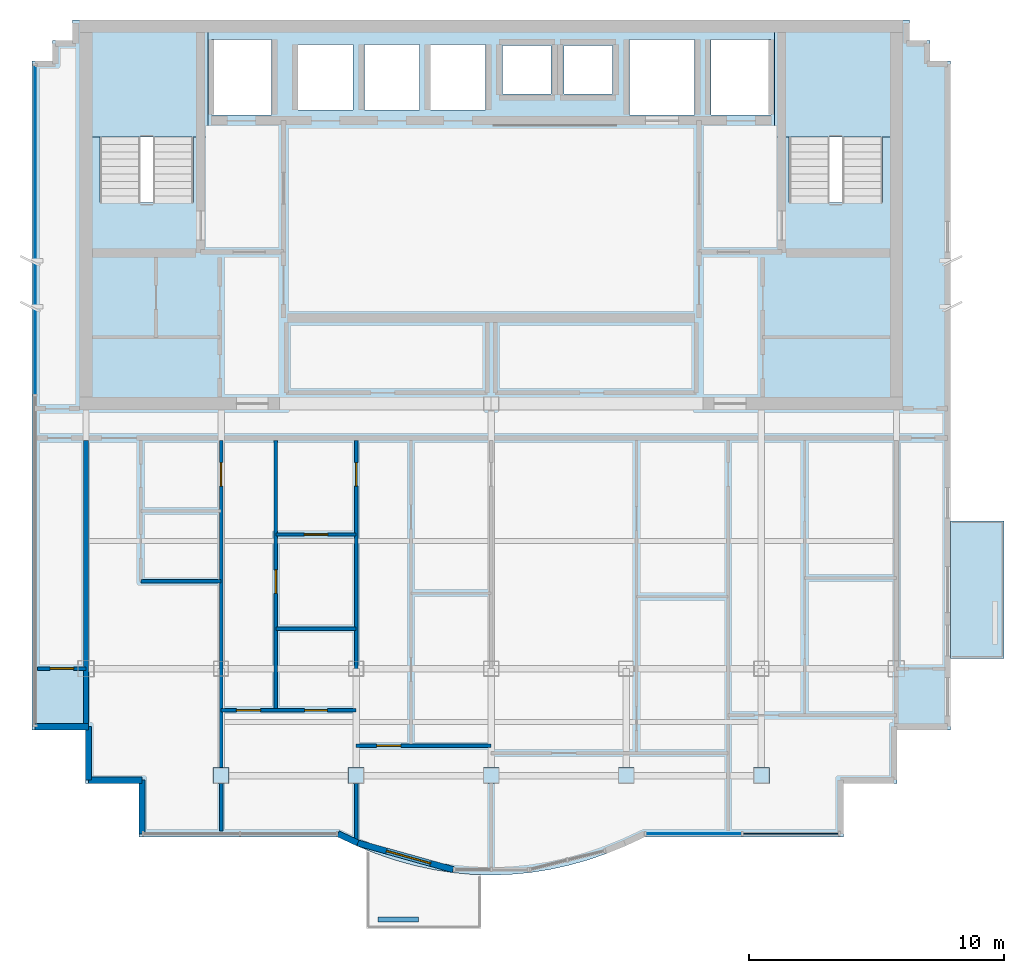
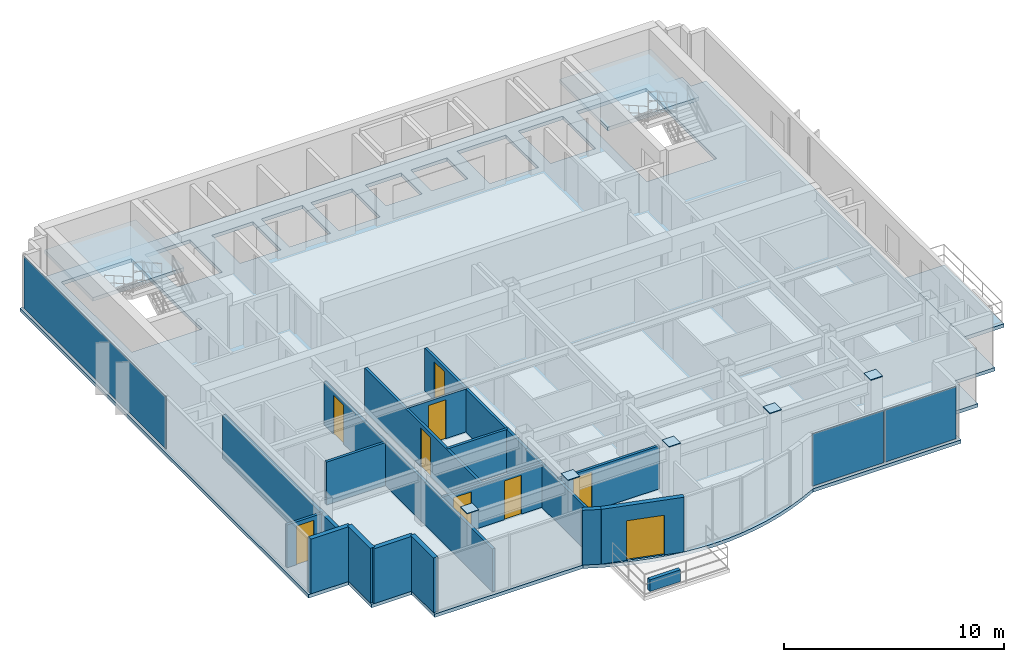
# One storey, part 5 of 11: 17 walls, 9 doors, 8 plates, 4 slabs, 9 openings, 4 elements without a shape of their own.
"""IFC4 building model written with IfcOpenShell, lengths in metres."""

from ifc_helpers import new_model, si_unit, direction, frame, frame_2d, origin, origin_2d, place, context, subcontext, project, spatial, polyline, rectangle, outline, extrude, source, transform, mapped, material, layer, layer_set, type_object, element, fill, aggregate, save


model = new_model("IFC4")

# Units and contexts
model_context = context("Model", 3, precision=1e-05, world=origin(), true_north=direction((0.0, 1.0)))
body_context = subcontext(model_context, "Body", "Model", "MODEL_VIEW")
ifc_project = project(units=[si_unit("LENGTHUNIT", "METRE"), si_unit("AREAUNIT", "SQUARE_METRE"), si_unit("VOLUMEUNIT", "CUBIC_METRE"), si_unit("PLANEANGLEUNIT", "RADIAN"), si_unit("MASSUNIT", "GRAM", prefix="KILO")], contexts=[model_context])

# Site, building, storey
site_placement = place(None, origin())
site = spatial("IfcSite", under=ifc_project, at=site_placement, CompositionType="ELEMENT")
building_placement = place(site_placement, origin())
building = spatial("IfcBuilding", under=site, at=building_placement, Name="Qianlan Lanfeng Residences", CompositionType="ELEMENT")
storey_placement = place(building_placement, frame((0.0, 0.0, 262.699951171875)))
storey = spatial("IfcBuildingStorey", under=building, at=storey_placement, Name="L73", CompositionType="ELEMENT", Elevation=262.699951171875)

# Slabs
ifc_material_1 = material(Name="Concrete C42", Category="concrete")
ifc_layer_1 = layer(ifc_material_1, 0.199951171875)
ifc_layer_set_1 = layer_set([ifc_layer_1], Name="Concrete C42")
slab_type_1 = type_object("IfcSlabType", Name="S-BAL-200", PredefinedType="FLOOR", material=ifc_layer_set_1)
slab_1_placement = place(storey_placement, frame((0.0, 0.0, -0.199951171875)))
element("IfcSlab", 1, at=slab_1_placement, inside=storey, type_object=slab_type_1, Name="L73 Planted Tree Balcony Slab EB-S", PredefinedType="FLOOR", context=body_context, shape_type="SweptSolid", body=[
    extrude(outline(polyline([(44.52001953125, 20.60009765625), (44.52001953125, 15.199951171875), (46.6201171875, 15.199951171875), (46.6201171875, 20.60009765625), (44.52001953125, 20.60009765625)])), origin(), (0.0, 0.0, 1.0), 0.199951171875),
])
ifc_layer_2 = layer(ifc_material_1, 0.18994140625)
ifc_layer_set_2 = layer_set([ifc_layer_2], Name="Concrete C42")
slab_type_2 = type_object("IfcSlabType", Name="S-FL-190", PredefinedType="FLOOR", material=ifc_layer_set_2)
slab_2_placement = place(storey_placement, frame((0.0, 0.0, -0.18994140625)))
element("IfcSlab", 2, at=slab_2_placement, inside=storey, type_object=slab_type_2, Name="L73 Structural Floor Slab", PredefinedType="FLOOR", context=body_context, shape_type="SweptSolid", body=[
    extrude(outline(polyline([(8.47998046875, 12.39990234375), (10.580078125, 12.39990234375), (10.580078125, 10.300048828125), (12.679931640625, 10.300048828125), (12.679931640625, 8.199951171875), (20.4599609375, 8.199951171875), (21.215087890625, 7.847900390625), (21.969970703125, 7.5439453125), (22.72509765625, 7.285888671875), (23.47998046875, 7.074951171875), (24.235107421875, 6.910888671875), (24.989990234375, 6.7939453125), (25.7451171875, 6.722900390625), (26.5, 6.699951171875), (27.2548828125, 6.722900390625), (28.010009765625, 6.7939453125), (28.764892578125, 6.910888671875), (29.52001953125, 7.074951171875), (30.27490234375, 7.285888671875), (31.030029296875, 7.5439453125), (31.784912109375, 7.847900390625), (32.5400390625, 8.199951171875), (40.320068359375, 8.199951171875), (40.320068359375, 10.300048828125), (42.419921875, 10.300048828125), (42.419921875, 12.39990234375), (44.52001953125, 12.39990234375), (44.52001953125, 38.64990234375), (43.719970703125, 38.64990234375), (43.719970703125, 39.449951171875), (42.919921875, 39.449951171875), (42.919921875, 40.25), (10.080078125, 40.25), (10.080078125, 39.449951171875), (9.280029296875, 39.449951171875), (9.280029296875, 38.64990234375), (8.47998046875, 38.64990234375), (8.47998046875, 12.39990234375)]), holes=[polyline([(11.139892578125, 33.080078125), (11.139892578125, 39.5), (14.820068359375, 39.5), (14.820068359375, 33.080078125), (11.139892578125, 33.080078125)]), polyline([(38.179931640625, 33.080078125), (38.179931640625, 39.5), (41.860107421875, 39.5), (41.860107421875, 33.080078125), (38.179931640625, 33.080078125)]), polyline([(15.52001953125, 36.52001953125), (15.52001953125, 39.47998046875), (17.8798828125, 39.47998046875), (17.8798828125, 36.52001953125), (15.52001953125, 36.52001953125)]), polyline([(35.1201171875, 36.52001953125), (35.1201171875, 39.47998046875), (37.47998046875, 39.47998046875), (37.47998046875, 36.52001953125), (35.1201171875, 36.52001953125)]), polyline([(31.919921875, 36.52001953125), (31.919921875, 39.47998046875), (34.47998046875, 39.47998046875), (34.47998046875, 36.52001953125), (31.919921875, 36.52001953125)]), polyline([(18.919921875, 36.719970703125), (18.919921875, 39.280029296875), (21.080078125, 39.280029296875), (21.080078125, 36.719970703125), (18.919921875, 36.719970703125)]), polyline([(21.52001953125, 36.719970703125), (21.52001953125, 39.280029296875), (23.679931640625, 39.280029296875), (23.679931640625, 36.719970703125), (21.52001953125, 36.719970703125)]), polyline([(24.1201171875, 36.719970703125), (24.1201171875, 39.280029296875), (26.280029296875, 39.280029296875), (26.280029296875, 36.719970703125), (24.1201171875, 36.719970703125)]), polyline([(26.949951171875, 37.35009765625), (26.949951171875, 39.25), (28.85009765625, 39.25), (28.85009765625, 37.35009765625), (26.949951171875, 37.35009765625)]), polyline([(29.35009765625, 37.35009765625), (29.35009765625, 39.25), (31.25, 39.25), (31.25, 37.35009765625), (29.35009765625, 37.35009765625)])]), origin(), (0.0, 0.0, 1.0), 0.18994140625),
])

# Stair, slab
stair_type = type_object("IfcStairType", Name="STR-MAIN", PredefinedType="HALF_TURN_STAIR", material=ifc_material_1)
stair_1_placement = place(storey_placement, origin())
stair_1 = element("IfcStair", 3, at=stair_1_placement, inside=storey, type_object=stair_type, Name="L73 Exit Stair ST-1", PredefinedType="HALF_TURN_STAIR")
ifc_layer_3 = layer(ifc_material_1, 0.179931640625)
ifc_layer_set_3 = layer_set([ifc_layer_3], Name="Concrete C42")
slab_type_3 = type_object("IfcSlabType", Name="S-LND-180", PredefinedType="LANDING", material=ifc_layer_set_3)
slab_3_placement = place(storey_placement, frame((0.0, 0.0, 1.449951171875)))
slab_3 = element("IfcSlab", 4, at=slab_3_placement, type_object=slab_type_3, Name="ST-1 landing 1", PredefinedType="LANDING", context=body_context, shape_type="SweptSolid", body=[
    extrude(outline(polyline([(10.580078125, 35.659912109375), (15.3798828125, 35.659912109375), (15.3798828125, 40.050048828125), (10.580078125, 40.050048828125), (10.580078125, 35.659912109375)])), origin(), (0.0, 0.0, 1.0), 0.2001953125),
])
aggregate(stair_1, [slab_3])

stair_2_placement = place(storey_placement, origin())
stair_2 = element("IfcStair", 5, at=stair_2_placement, inside=storey, type_object=stair_type, Name="L73 Exit Stair ST-2", PredefinedType="HALF_TURN_STAIR")
slab_4_placement = place(storey_placement, frame((0.0, 0.0, 1.449951171875)))
slab_4 = element("IfcSlab", 6, at=slab_4_placement, type_object=slab_type_3, Name="ST-2 landing 1", PredefinedType="LANDING", context=body_context, shape_type="SweptSolid", body=[
    extrude(outline(polyline([(37.6201171875, 35.659912109375), (42.419921875, 35.659912109375), (42.419921875, 40.050048828125), (37.6201171875, 40.050048828125), (37.6201171875, 35.659912109375)])), origin(), (0.0, 0.0, 1.0), 0.2001953125),
])
aggregate(stair_2, [slab_4])

# Plates
ifc_material_2 = material(Name="Steel SM570 (420 MPa)", Category="steel")
ifc_layer_4 = layer(ifc_material_2, 0.0400390625)
ifc_layer_set_4 = layer_set([ifc_layer_4], Name="Steel SM570 (420 MPa)")
plate_type_1 = type_object("IfcPlateType", Name="PL-CAP-40", PredefinedType="USERDEFINED", material=ifc_layer_set_4)
shared_shape_1 = source(origin(), body_context, "Body", "SweptSolid", [
    extrude(rectangle(XDim=0.6201171875, YDim=0.6201171875, at=origin_2d()), origin(), (0.0, 0.0, 1.0), 0.0400390625),
])
for number, where, z_axis, x_axis, name in (
    (7, (15.89990234375, 10.60009765625, 3.260009765625), (0.0, 0.0, 1.0), (1.0, 0.0, 0.0), "L73 Box Column Top Closure Cap Plate G_15.90_10.60"),
    (8, (21.199951171875, 10.60009765625, 3.260009765625), (0.0, 0.0, 1.0), (1.0, 0.0, 0.0), "L73 Box Column Top Closure Cap Plate G_21.20_10.60"),
    (9, (26.5, 10.60009765625, 3.260009765625), (0.0, 0.0, 1.0), (1.0, 0.0, 0.0), "L73 Box Column Top Closure Cap Plate G_26.50_10.60"),
    (10, (31.800048828125, 10.60009765625, 3.260009765625), (0.0, 0.0, 1.0), (1.0, 0.0, 0.0), "L73 Box Column Top Closure Cap Plate G_31.80_10.60"),
    (11, (37.10009765625, 10.60009765625, 3.260009765625), (0.0, 0.0, 1.0), (1.0, 0.0, 0.0), "L73 Box Column Top Closure Cap Plate G_37.10_10.60"),
):
    element("IfcPlate", number, at=place(storey_placement, frame(where, z_axis=z_axis, x_axis=x_axis)), inside=storey, type_object=plate_type_1, Name=name, ObjectType="SPLICE_PLATE", PredefinedType="USERDEFINED", context=body_context, shape_type="MappedRepresentation", body=[
        mapped(shared_shape_1, transform((0.0, 0.0, 0.0), scale=1.0)),
    ])

# Curtain wall, plates
ifc_material_3 = material(Name="Anodised Bronze Aluminium 6063-T6", Category="aluminium")
ifc_layer_5 = layer(ifc_material_3, 0.219970703125)
ifc_layer_set_5 = layer_set([ifc_layer_5], Name="Anodised Bronze Aluminium 6063-T6")
curtain_wall_type = type_object("IfcCurtainWallType", Name="CW-06", PredefinedType="NOTDEFINED", material=ifc_layer_set_5)
curtain_wall_1_placement = place(storey_placement, origin())
curtain_wall_1 = element("IfcCurtainWall", 12, at=curtain_wall_1_placement, inside=storey, type_object=curtain_wall_type, Name="L73 Unitised Curtain Wall CWR-L73-04 (CW-06)", PredefinedType="NOTDEFINED")
ifc_material_4 = material(Name="Dark Bronze Tinted Insulated Glass", Category="glass")
ifc_layer_6 = layer(ifc_material_4, 0.0380859375)
ifc_layer_set_6 = layer_set([ifc_layer_6], Name="Dark Bronze Tinted Insulated Glass")
plate_type_2 = type_object("IfcPlateType", Name="PNL-GLZ-BRZ", PredefinedType="CURTAIN_PANEL", material=ifc_layer_set_6)
shared_shape_2 = source(origin(), body_context, "Body", "SweptSolid", [
    extrude(rectangle(XDim=3.73291015625, YDim=0.0380859375, at=origin_2d()), origin(), (0.0, 0.0, 1.0), 2.89208984375),
])
plate_1_placement = place(storey_placement, frame((34.45361328125, 8.320068359375, 0.073974609375), z_axis=(0.0, 0.0, 1.0), x_axis=(1.0, 0.0, 0.0)))
plate_1 = element("IfcPlate", 13, at=plate_1_placement, type_object=plate_type_2, Name="CWR-L73-04 Curtain Panel 1", PredefinedType="CURTAIN_PANEL", context=body_context, shape_type="MappedRepresentation", body=[
    mapped(shared_shape_2, transform((0.0, 0.0, 0.0), scale=1.0)),
])
ifc_material_5 = material(Name="Perforated Anodised Bronze Aluminium Panel", Category="aluminium")
ifc_layer_7 = layer(ifc_material_5, 0.0419921875)
ifc_layer_set_7 = layer_set([ifc_layer_7], Name="Perforated Anodised Bronze Aluminium Panel")
plate_type_3 = type_object("IfcPlateType", Name="PNL-PRF-BRZ", PredefinedType="CURTAIN_PANEL", material=ifc_layer_set_7)
shared_shape_3 = source(origin(), body_context, "Body", "SweptSolid", [
    extrude(rectangle(XDim=3.73291015625, YDim=0.0419921875, at=origin_2d()), origin(), (0.0, 0.0, 1.0), 2.89208984375),
])
plate_2_placement = place(storey_placement, frame((38.259521484375, 8.320068359375, 0.073974609375), z_axis=(0.0, 0.0, 1.0), x_axis=(1.0, 0.0, 0.0)))
plate_2 = element("IfcPlate", 14, at=plate_2_placement, type_object=plate_type_3, Name="CWR-L73-04 Curtain Panel 2", PredefinedType="CURTAIN_PANEL", context=body_context, shape_type="MappedRepresentation", body=[
    mapped(shared_shape_3, transform((0.0, 0.0, 0.0), scale=1.0)),
])
aggregate(curtain_wall_1, [plate_1, plate_2])

# Curtain wall, plate
curtain_wall_2_placement = place(storey_placement, origin())
curtain_wall_2 = element("IfcCurtainWall", 15, at=curtain_wall_2_placement, inside=storey, type_object=curtain_wall_type, Name="L73 Unitised Curtain Wall CWR-L73-05 (CW-06)", PredefinedType="NOTDEFINED")
shared_shape_4 = source(origin(), body_context, "Body", "SweptSolid", [
    extrude(rectangle(XDim=12.89453125, YDim=0.0380859375, at=origin_2d()), origin(), (0.0, 0.0, 1.0), 2.89208984375),
])
plate_3_placement = place(storey_placement, frame((8.60009765625, 32.0087890625, 0.073974609375), z_axis=(0.0, 0.0, 1.0), x_axis=(0.0, -1.0, 0.0)))
plate_3 = element("IfcPlate", 16, at=plate_3_placement, type_object=plate_type_2, Name="CWR-L73-05 Curtain Panel 1", PredefinedType="CURTAIN_PANEL", context=body_context, shape_type="MappedRepresentation", body=[
    mapped(shared_shape_4, transform((0.0, 0.0, 0.0), scale=1.0)),
])
aggregate(curtain_wall_2, [plate_3])

# Walls
ifc_layer_8 = layer(ifc_material_1, 0.239990234375)
ifc_layer_set_8 = layer_set([ifc_layer_8], Name="Concrete C42")
wall_type_1 = type_object("IfcWallType", Name="EW-240", PredefinedType="SOLIDWALL", material=ifc_layer_set_8)
wall_1_placement = place(storey_placement, frame((8.60009765625, 12.52001953125, 0.0), z_axis=(0.0, 0.0, 1.0), x_axis=(1.0, 0.0, 0.0)))
element("IfcWall", 17, at=wall_1_placement, inside=storey, type_object=wall_type_1, Name="L73 Exterior Facade Spandrel Wall 1", PredefinedType="SOLIDWALL", context=body_context, shape_type="SweptSolid", body=[
    extrude(rectangle(XDim=2.099853515625, YDim=0.239990234375, at=frame_2d((1.0498046875, 0.0))), origin(), (0.0, 0.0, 1.0), 3.0400390625),
])
for number, where, z_axis, x_axis, name in (
    (18, (10.699951171875, 12.52001953125, 0.0), (0.0, 0.0, 1.0), (0.0, -1.0, 0.0), "L73 Exterior Facade Spandrel Wall 2"),
    (19, (10.699951171875, 10.419921875, 0.0), (0.0, 0.0, 1.0), (1.0, 0.0, 0.0), "L73 Exterior Facade Spandrel Wall 3"),
):
    element("IfcWall", number, at=place(storey_placement, frame(where, z_axis=z_axis, x_axis=x_axis)), inside=storey, type_object=wall_type_1, Name=name, PredefinedType="SOLIDWALL", context=body_context, shape_type="SweptSolid", body=[
        extrude(rectangle(XDim=2.10009765625, YDim=0.239990234375, at=frame_2d((1.050048828125, 0.0))), origin(), (0.0, 0.0, 1.0), 3.0400390625),
    ])
wall_2_placement = place(storey_placement, frame((12.800048828125, 10.419921875, 0.0), z_axis=(0.0, 0.0, 1.0), x_axis=(0.0, -1.0, 0.0)))
element("IfcWall", 20, at=wall_2_placement, inside=storey, type_object=wall_type_1, Name="L73 Exterior Facade Spandrel Wall 4", PredefinedType="SOLIDWALL", context=body_context, shape_type="SweptSolid", body=[
    extrude(rectangle(XDim=2.099853515625, YDim=0.239990234375, at=frame_2d((1.0498046875, 0.0))), origin(), (0.0, 0.0, 1.0), 3.0400390625),
])
wall_3_placement = place(storey_placement, frame((20.487060546875, 8.320068359375, 0.0), z_axis=(0.0, 0.0, 1.0), x_axis=(0.906190424584, -0.422869855147, 0.0)))
element("IfcWall", 21, at=wall_3_placement, inside=storey, type_object=wall_type_1, Name="L73 Exterior Facade Spandrel Wall 5", PredefinedType="SOLIDWALL", context=body_context, shape_type="SweptSolid", body=[
    extrude(rectangle(XDim=0.856201171875, YDim=0.239990234375, at=frame_2d((0.42822265625, 0.0))), origin(), (0.0, 0.0, 1.0), 3.0400390625),
])

# Wall, opening, door
wall_4_placement = place(storey_placement, frame((21.262939453125, 7.9580078125, 0.0), z_axis=(0.0, 0.0, 1.0), x_axis=(0.963152398068, -0.268956238255, 0.0)))
wall_4 = element("IfcWall", 22, at=wall_4_placement, inside=storey, type_object=wall_type_1, Name="L73 Terrace/Balcony Access Exterior Wall 6", PredefinedType="SOLIDWALL", context=body_context, shape_type="SweptSolid", body=[
    extrude(rectangle(XDim=3.885009765625, YDim=0.239990234375, at=frame_2d((1.9423828125, 0.0))), origin(), (0.0, 0.0, 1.0), 3.0400390625),
])
opening_1_placement = place(wall_4_placement, frame((1.1689453125, 0.0, 0.0)))
opening_1 = element("IfcOpeningElement", 23, at=opening_1_placement, cuts=wall_4, Name="Opening L73-D-SB-C", PredefinedType="OPENING", context=body_context, shape_type="SweptSolid", body=[
    extrude(rectangle(XDim=1.800048828125, YDim=2.199951171875, at=frame_2d((0.89990234375, 1.10009765625))), frame((0.0, 0.1298828125, 0.0), z_axis=(0.0, -1.0, 0.0), x_axis=(1.0, 0.0, 0.0)), (0.0, 0.0, 1.0), 0.260009765625),
])
ifc_material_6 = material(Name="Anodised Bronze Aluminium Framed Glass", Category="aluminium")
door_type_1 = type_object("IfcDoorType", Name="DT-BAL1", OperationType="NOTDEFINED", PredefinedType="DOOR", material=ifc_material_6)
door_1_placement = place(opening_1_placement, frame((1.800048828125, 0.0, 0.0), z_axis=(0.0, 0.0, 1.0), x_axis=(-1.0, 0.0, 0.0)))
door_1 = element("IfcDoor", 24, at=door_1_placement, inside=storey, type_object=door_type_1, Name="L73 Exterior Access Door SB-C", OperationType="DOUBLE_DOOR_SLIDING", OverallHeight=2.199951171875, OverallWidth=1.800048828125, PredefinedType="DOOR", context=body_context, shape_type="SweptSolid", body=[
    extrude(rectangle(XDim=1.800048828125, YDim=2.199951171875, at=frame_2d((0.89990234375, 1.10009765625))), frame((0.0, 0.02490234375, 0.0), z_axis=(0.0, -1.0, 0.0), x_axis=(1.0, 0.0, 0.0)), (0.0, 0.0, 1.0), 0.050048828125),
])
fill(opening_1, door_1)

# Wall
ifc_layer_9 = layer(ifc_material_1, 0.199951171875)
ifc_layer_set_9 = layer_set([ifc_layer_9], Name="Concrete C42")
wall_type_2 = type_object("IfcWallType", Name="PL-TREE-200", PredefinedType="PARAPET", material=ifc_layer_set_9)
wall_5_placement = place(storey_placement, frame((22.050048828125, 4.949951171875, 0.0), z_axis=(0.0, 0.0, 1.0), x_axis=(1.0, 0.0, 0.0)))
element("IfcWall", 25, at=wall_5_placement, inside=storey, type_object=wall_type_2, Name="L73 Balcony Tree Planter Curb SB-C", PredefinedType="PARAPET", context=body_context, shape_type="SweptSolid", body=[
    extrude(rectangle(XDim=1.599853515625, YDim=0.199951171875, at=frame_2d((0.7998046875, 0.0))), origin(), (0.0, 0.0, 1.0), 0.650146484375),
])

# Wall, opening, door
ifc_material_7 = material(Name="Demountable Acoustic Framing Partition 110 mm")
ifc_layer_10 = layer(ifc_material_7, 0.110107421875)
ifc_layer_set_10 = layer_set([ifc_layer_10], Name="Demountable Acoustic Framing Partition 110 mm")
wall_type_3 = type_object("IfcWallType", Name="PW-110", PredefinedType="MOVABLE", material=ifc_layer_set_10)
wall_6_placement = place(storey_placement, frame((18.050048828125, 20.06005859375, 0.0), z_axis=(0.0, 0.0, 1.0), x_axis=(1.0, 0.0, 0.0)))
wall_6 = element("IfcWall", 26, at=wall_6_placement, inside=storey, type_object=wall_type_3, Name="L73 U01 Wardrobe Split", PredefinedType="MOVABLE", context=body_context, shape_type="SweptSolid", body=[
    extrude(rectangle(XDim=3.14990234375, YDim=0.110107421875, at=frame_2d((1.574951171875, 0.0))), origin(), (0.0, 0.0, 1.0), 2.380126953125),
])
opening_2_placement = place(wall_6_placement, frame((1.114990234375, 0.0, 0.0)))
opening_2 = element("IfcOpeningElement", 27, at=opening_2_placement, cuts=wall_6, Name="Opening L73-D28", PredefinedType="OPENING", context=body_context, shape_type="SweptSolid", body=[
    extrude(rectangle(XDim=0.919921875, YDim=2.14990234375, at=frame_2d((0.4599609375, 1.074951171875))), frame((0.0, 0.06494140625, 0.0), z_axis=(0.0, -1.0, 0.0), x_axis=(1.0, 0.0, 0.0)), (0.0, 0.0, 1.0), 0.130126953125),
])
ifc_material_8 = material(Name="Glazed Timber Kitchen/Study Door", Category="wood")
door_type_2 = type_object("IfcDoorType", Name="DT-INT", OperationType="NOTDEFINED", PredefinedType="DOOR", material=ifc_material_8)
door_2_placement = place(opening_2_placement, origin())
door_2 = element("IfcDoor", 28, at=door_2_placement, inside=storey, type_object=door_type_2, Name="L73 U01 Dressing Inner Door L73-D28 (DT-INT)", OperationType="SINGLE_SWING_RIGHT", OverallHeight=2.14990234375, OverallWidth=0.919921875, PredefinedType="DOOR", context=body_context, shape_type="SweptSolid", body=[
    extrude(rectangle(XDim=0.919921875, YDim=2.14990234375, at=frame_2d((0.4599609375, 1.074951171875))), frame((0.0, 0.02490234375, 0.0), z_axis=(0.0, -1.0, 0.0), x_axis=(1.0, 0.0, 0.0)), (0.0, 0.0, 1.0), 0.050048828125),
])
fill(opening_2, door_2)

ifc_material_9 = material(Name="Moisture-Resistant Gypsum Partition 135 mm")
ifc_layer_11 = layer(ifc_material_9, 0.135009765625)
ifc_layer_set_11 = layer_set([ifc_layer_11], Name="Moisture-Resistant Gypsum Partition 135 mm")
wall_type_4 = type_object("IfcWallType", Name="PW-135", PredefinedType="PARTITIONING", material=ifc_layer_set_11)
wall_7_placement = place(storey_placement, frame((15.89990234375, 8.419921875, 0.0), z_axis=(0.0, 0.0, 1.0), x_axis=(0.0, 1.0, 0.0)))
wall_7 = element("IfcWall", 29, at=wall_7_placement, inside=storey, type_object=wall_type_4, Name="L73 U01 Bay Spine Wall 1", PredefinedType="PARTITIONING", context=body_context, shape_type="SweptSolid", body=[
    extrude(rectangle(XDim=15.330078125, YDim=0.135009765625, at=frame_2d((7.6650390625, 0.0))), origin(), (0.0, 0.0, 1.0), 2.380126953125),
])
opening_3_placement = place(wall_7_placement, frame((13.544921875, 0.0, 0.0)))
opening_3 = element("IfcOpeningElement", 30, at=opening_3_placement, cuts=wall_7, Name="Opening L73-D19", PredefinedType="OPENING", context=body_context, shape_type="SweptSolid", body=[
    extrude(rectangle(XDim=0.919921875, YDim=2.14990234375, at=frame_2d((0.4599609375, 1.074951171875))), frame((0.0, 0.07763671875, 0.0), z_axis=(0.0, -1.0, 0.0), x_axis=(1.0, 0.0, 0.0)), (0.0, 0.0, 1.0), 0.155029296875),
])
door_3_placement = place(opening_3_placement, origin())
door_3 = element("IfcDoor", 31, at=door_3_placement, inside=storey, type_object=door_type_2, Name="L73 U01 Internal Hall Door L73-D19 (DT-INT)", OperationType="SINGLE_SWING_LEFT", OverallHeight=2.14990234375, OverallWidth=0.919921875, PredefinedType="DOOR", context=body_context, shape_type="SweptSolid", body=[
    extrude(rectangle(XDim=0.919921875, YDim=2.14990234375, at=frame_2d((0.4599609375, 1.074951171875))), frame((0.0, 0.02490234375, 0.0), z_axis=(0.0, -1.0, 0.0), x_axis=(1.0, 0.0, 0.0)), (0.0, 0.0, 1.0), 0.050048828125),
])
fill(opening_3, door_3)

wall_8_placement = place(storey_placement, frame((21.199951171875, 8.097900390625, 0.0), z_axis=(0.0, 0.0, 1.0), x_axis=(0.0, 1.0, 0.0)))
wall_8 = element("IfcWall", 32, at=wall_8_placement, inside=storey, type_object=wall_type_4, Name="L73 U01 Bay Spine Wall 2", PredefinedType="PARTITIONING", context=body_context, shape_type="SweptSolid", body=[
    extrude(rectangle(XDim=15.652099609375, YDim=0.135009765625, at=frame_2d((7.826171875, 0.0))), origin(), (0.0, 0.0, 1.0), 2.380126953125),
])
opening_4_placement = place(wall_8_placement, frame((13.866943359375, 0.0, 0.0)))
opening_4 = element("IfcOpeningElement", 33, at=opening_4_placement, cuts=wall_8, Name="Opening L73-D20", PredefinedType="OPENING", context=body_context, shape_type="SweptSolid", body=[
    extrude(rectangle(XDim=0.919921875, YDim=2.14990234375, at=frame_2d((0.4599609375, 1.074951171875))), frame((0.0, 0.07763671875, 0.0), z_axis=(0.0, -1.0, 0.0), x_axis=(1.0, 0.0, 0.0)), (0.0, 0.0, 1.0), 0.155029296875),
])
door_4_placement = place(opening_4_placement, origin())
door_4 = element("IfcDoor", 34, at=door_4_placement, inside=storey, type_object=door_type_2, Name="L73 U01 Internal Hall Door L73-D20 (DT-INT)", OperationType="SINGLE_SWING_RIGHT", OverallHeight=2.14990234375, OverallWidth=0.919921875, PredefinedType="DOOR", context=body_context, shape_type="SweptSolid", body=[
    extrude(rectangle(XDim=0.919921875, YDim=2.14990234375, at=frame_2d((0.4599609375, 1.074951171875))), frame((0.0, 0.02490234375, 0.0), z_axis=(0.0, -1.0, 0.0), x_axis=(1.0, 0.0, 0.0)), (0.0, 0.0, 1.0), 0.050048828125),
])
fill(opening_4, door_4)

# Wall
wall_9_placement = place(storey_placement, frame((12.75, 18.219970703125, 0.0), z_axis=(0.0, 0.0, 1.0), x_axis=(1.0, 0.0, 0.0)))
element("IfcWall", 35, at=wall_9_placement, inside=storey, type_object=wall_type_4, Name="L73 U01 Kitchen South Wall", PredefinedType="PARTITIONING", context=body_context, shape_type="SweptSolid", body=[
    extrude(rectangle(XDim=3.14990234375, YDim=0.135009765625, at=frame_2d((1.574951171875, 0.0))), origin(), (0.0, 0.0, 1.0), 2.380126953125),
])

# Wall, openings, doors
wall_10_placement = place(storey_placement, frame((15.89990234375, 13.169921875, 0.0), z_axis=(0.0, 0.0, 1.0), x_axis=(1.0, 0.0, 0.0)))
wall_10 = element("IfcWall", 36, at=wall_10_placement, inside=storey, type_object=wall_type_4, Name="L73 U01 Master Bedroom North Wall", PredefinedType="PARTITIONING", context=body_context, shape_type="SweptSolid", body=[
    extrude(rectangle(XDim=5.300048828125, YDim=0.135009765625, at=frame_2d((2.64990234375, 0.0))), origin(), (0.0, 0.0, 1.0), 2.380126953125),
])
opening_5_placement = place(wall_10_placement, frame((0.60009765625, 0.0, 0.0)))
opening_5 = element("IfcOpeningElement", 37, at=opening_5_placement, cuts=wall_10, Name="Opening L73-D25", PredefinedType="OPENING", context=body_context, shape_type="SweptSolid", body=[
    extrude(rectangle(XDim=0.949951171875, YDim=2.14990234375, at=frame_2d((0.47509765625, 1.074951171875))), frame((0.0, 0.07763671875, 0.0), z_axis=(0.0, -1.0, 0.0), x_axis=(1.0, 0.0, 0.0)), (0.0, 0.0, 1.0), 0.155029296875),
])
opening_6_placement = place(wall_10_placement, frame((3.27490234375, 0.0, 0.0)))
opening_6 = element("IfcOpeningElement", 38, at=opening_6_placement, cuts=wall_10, Name="Opening L73-D26", PredefinedType="OPENING", context=body_context, shape_type="SweptSolid", body=[
    extrude(rectangle(XDim=0.89990234375, YDim=2.14990234375, at=frame_2d((0.449951171875, 1.074951171875))), frame((0.0, 0.07763671875, 0.0), z_axis=(0.0, -1.0, 0.0), x_axis=(1.0, 0.0, 0.0)), (0.0, 0.0, 1.0), 0.155029296875),
])
ifc_material_10 = material(Name="Painted Solid-Core Timber Leaf", Category="wood")
door_type_3 = type_object("IfcDoorType", Name="DT-BED", OperationType="NOTDEFINED", PredefinedType="DOOR", material=ifc_material_10)
door_5_placement = place(opening_5_placement, frame((0.949951171875, 0.0, 0.0), z_axis=(0.0, 0.0, 1.0), x_axis=(-1.0, 0.0, 0.0)))
door_5 = element("IfcDoor", 39, at=door_5_placement, inside=storey, type_object=door_type_3, Name="L73 U01 Master Bedroom Door L73-D25 (DT-BED)", OperationType="SINGLE_SWING_RIGHT", OverallHeight=2.14990234375, OverallWidth=0.949951171875, PredefinedType="DOOR", context=body_context, shape_type="SweptSolid", body=[
    extrude(rectangle(XDim=0.949951171875, YDim=2.14990234375, at=frame_2d((0.47509765625, 1.074951171875))), frame((0.0, 0.02490234375, 0.0), z_axis=(0.0, -1.0, 0.0), x_axis=(1.0, 0.0, 0.0)), (0.0, 0.0, 1.0), 0.050048828125),
])
fill(opening_5, door_5)
ifc_material_11 = material(Name="Moisture-Resistant Timber Leaf", Category="wood")
door_type_4 = type_object("IfcDoorType", Name="DT-WC", OperationType="NOTDEFINED", PredefinedType="DOOR", material=ifc_material_11)
door_6_placement = place(opening_6_placement, origin())
door_6 = element("IfcDoor", 40, at=door_6_placement, inside=storey, type_object=door_type_4, Name="L73 U01 En-Suite Bathroom Door L73-D26 (DT-WC)", OperationType="SINGLE_SWING_RIGHT", OverallHeight=2.14990234375, OverallWidth=0.89990234375, PredefinedType="DOOR", context=body_context, shape_type="SweptSolid", body=[
    extrude(rectangle(XDim=0.89990234375, YDim=2.14990234375, at=frame_2d((0.449951171875, 1.074951171875))), frame((0.0, 0.02490234375, 0.0), z_axis=(0.0, -1.0, 0.0), x_axis=(1.0, 0.0, 0.0)), (0.0, 0.0, 1.0), 0.050048828125),
])
fill(opening_6, door_6)

# Wall, opening, door
wall_11_placement = place(storey_placement, frame((18.050048828125, 13.169921875, 0.0), z_axis=(0.0, 0.0, 1.0), x_axis=(0.0, 1.0, 0.0)))
wall_11 = element("IfcWall", 41, at=wall_11_placement, inside=storey, type_object=wall_type_4, Name="L73 U01 Master Passage Wall", PredefinedType="PARTITIONING", context=body_context, shape_type="SweptSolid", body=[
    extrude(rectangle(XDim=10.580078125, YDim=0.135009765625, at=frame_2d((5.2900390625, 0.0))), origin(), (0.0, 0.0, 1.0), 2.380126953125),
])
opening_7_placement = place(wall_11_placement, frame((4.5849609375, 0.0, 0.0)))
opening_7 = element("IfcOpeningElement", 42, at=opening_7_placement, cuts=wall_11, Name="Opening L73-D27", PredefinedType="OPENING", context=body_context, shape_type="SweptSolid", body=[
    extrude(rectangle(XDim=0.919921875, YDim=2.14990234375, at=frame_2d((0.4599609375, 1.074951171875))), frame((0.0, 0.07763671875, 0.0), z_axis=(0.0, -1.0, 0.0), x_axis=(1.0, 0.0, 0.0)), (0.0, 0.0, 1.0), 0.155029296875),
])
door_7_placement = place(opening_7_placement, origin())
door_7 = element("IfcDoor", 43, at=door_7_placement, inside=storey, type_object=door_type_2, Name="L73 U01 Wardrobe Door L73-D27 (DT-INT)", OperationType="SINGLE_SWING_LEFT", OverallHeight=2.14990234375, OverallWidth=0.919921875, PredefinedType="DOOR", context=body_context, shape_type="SweptSolid", body=[
    extrude(rectangle(XDim=0.919921875, YDim=2.14990234375, at=frame_2d((0.4599609375, 1.074951171875))), frame((0.0, 0.02490234375, 0.0), z_axis=(0.0, -1.0, 0.0), x_axis=(1.0, 0.0, 0.0)), (0.0, 0.0, 1.0), 0.050048828125),
])
fill(opening_7, door_7)

# Wall
wall_12_placement = place(storey_placement, frame((18.050048828125, 16.3701171875, 0.0), z_axis=(0.0, 0.0, 1.0), x_axis=(1.0, 0.0, 0.0)))
element("IfcWall", 44, at=wall_12_placement, inside=storey, type_object=wall_type_4, Name="L73 U01 En-Suite North Wall", PredefinedType="PARTITIONING", context=body_context, shape_type="SweptSolid", body=[
    extrude(rectangle(XDim=3.14990234375, YDim=0.135009765625, at=frame_2d((1.574951171875, 0.0))), origin(), (0.0, 0.0, 1.0), 2.380126953125),
])

# Wall, opening, door
wall_13_placement = place(storey_placement, frame((21.199951171875, 11.77001953125, 0.0), z_axis=(0.0, 0.0, 1.0), x_axis=(1.0, 0.0, 0.0)))
wall_13 = element("IfcWall", 45, at=wall_13_placement, inside=storey, type_object=wall_type_4, Name="L73 U01 Bedroom 2 North Wall", PredefinedType="PARTITIONING", context=body_context, shape_type="SweptSolid", body=[
    extrude(rectangle(XDim=5.300048828125, YDim=0.135009765625, at=frame_2d((2.64990234375, 0.0))), origin(), (0.0, 0.0, 1.0), 2.380126953125),
])
opening_8_placement = place(wall_13_placement, frame((0.800048828125, 0.0, 0.0)))
opening_8 = element("IfcOpeningElement", 46, at=opening_8_placement, cuts=wall_13, Name="Opening L73-D29", PredefinedType="OPENING", context=body_context, shape_type="SweptSolid", body=[
    extrude(rectangle(XDim=0.949951171875, YDim=2.14990234375, at=frame_2d((0.47509765625, 1.074951171875))), frame((0.0, 0.07763671875, 0.0), z_axis=(0.0, -1.0, 0.0), x_axis=(1.0, 0.0, 0.0)), (0.0, 0.0, 1.0), 0.155029296875),
])
door_8_placement = place(opening_8_placement, origin())
door_8 = element("IfcDoor", 47, at=door_8_placement, inside=storey, type_object=door_type_3, Name="L73 U01 Bedroom 2 Door L73-D29 (DT-BED)", OperationType="SINGLE_SWING_LEFT", OverallHeight=2.14990234375, OverallWidth=0.949951171875, PredefinedType="DOOR", context=body_context, shape_type="SweptSolid", body=[
    extrude(rectangle(XDim=0.949951171875, YDim=2.14990234375, at=frame_2d((0.47509765625, 1.074951171875))), frame((0.0, 0.02490234375, 0.0), z_axis=(0.0, -1.0, 0.0), x_axis=(1.0, 0.0, 0.0)), (0.0, 0.0, 1.0), 0.050048828125),
])
fill(opening_8, door_8)

wall_14_placement = place(storey_placement, frame((8.699951171875, 14.800048828125, 0.0), z_axis=(0.0, 0.0, 1.0), x_axis=(1.0, 0.0, 0.0)))
wall_14 = element("IfcWall", 48, at=wall_14_placement, inside=storey, type_object=wall_type_4, Name="L73 SWP Mid Partition", PredefinedType="PARTITIONING", context=body_context, shape_type="SweptSolid", body=[
    extrude(rectangle(XDim=1.900146484375, YDim=0.135009765625, at=frame_2d((0.9501953125, 0.0))), origin(), (0.0, 0.0, 1.0), 2.380126953125),
])
opening_9_placement = place(wall_14_placement, frame((0.489990234375, 0.0, 0.0)))
opening_9 = element("IfcOpeningElement", 49, at=opening_9_placement, cuts=wall_14, Name="Opening L73-D38", PredefinedType="OPENING", context=body_context, shape_type="SweptSolid", body=[
    extrude(rectangle(XDim=0.919921875, YDim=2.14990234375, at=frame_2d((0.4599609375, 1.074951171875))), frame((0.0, 0.07763671875, 0.0), z_axis=(0.0, -1.0, 0.0), x_axis=(1.0, 0.0, 0.0)), (0.0, 0.0, 1.0), 0.155029296875),
])
door_9_placement = place(opening_9_placement, origin())
door_9 = element("IfcDoor", 50, at=door_9_placement, inside=storey, type_object=door_type_2, Name="L73 SWP Inner Door L73-D38 (DT-INT)", OperationType="SINGLE_SWING_LEFT", OverallHeight=2.14990234375, OverallWidth=0.919921875, PredefinedType="DOOR", context=body_context, shape_type="SweptSolid", body=[
    extrude(rectangle(XDim=0.919921875, YDim=2.14990234375, at=frame_2d((0.4599609375, 1.074951171875))), frame((0.0, 0.02490234375, 0.0), z_axis=(0.0, -1.0, 0.0), x_axis=(1.0, 0.0, 0.0)), (0.0, 0.0, 1.0), 0.050048828125),
])
fill(opening_9, door_9)

# Wall
ifc_material_12 = material(Name="Double-Layer Acoustic Gypsum Stud Wall 180 mm")
ifc_layer_12 = layer(ifc_material_12, 0.179931640625)
ifc_layer_set_12 = layer_set([ifc_layer_12], Name="Double-Layer Acoustic Gypsum Stud Wall 180 mm")
wall_type_5 = type_object("IfcWallType", Name="PW-180", PredefinedType="PARTITIONING", material=ifc_layer_set_12)
wall_15_placement = place(storey_placement, frame((10.60009765625, 12.6201171875, 0.0), z_axis=(0.0, 0.0, 1.0), x_axis=(0.0, 1.0, 0.0)))
element("IfcWall", 51, at=wall_15_placement, inside=storey, type_object=wall_type_5, Name="L73 Wing Boundary Party Wall W0", PredefinedType="PARTITIONING", context=body_context, shape_type="SweptSolid", body=[
    extrude(rectangle(XDim=11.1298828125, YDim=0.179931640625, at=frame_2d((5.56494140625, 0.0))), origin(), (0.0, 0.0, 1.0), 2.380126953125),
])

save(model, "model.ifc")
